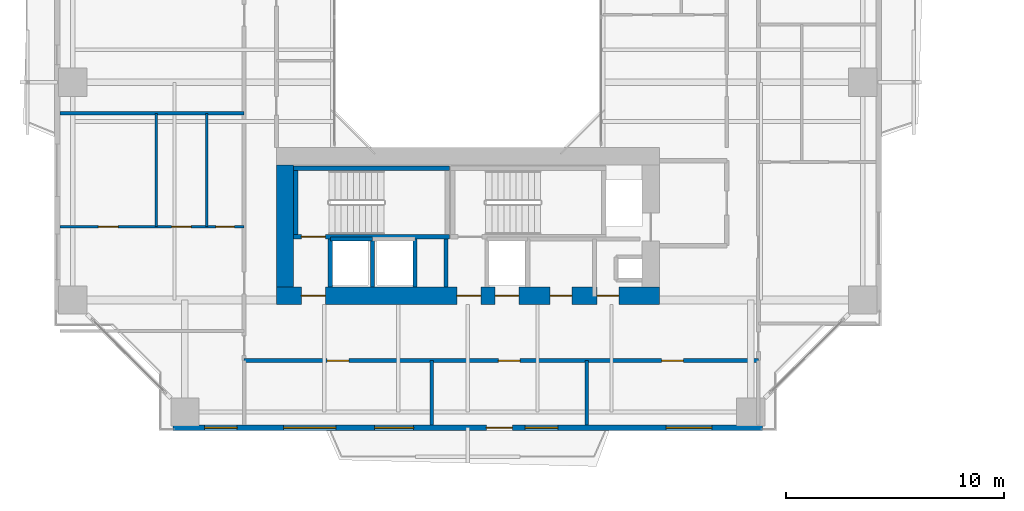
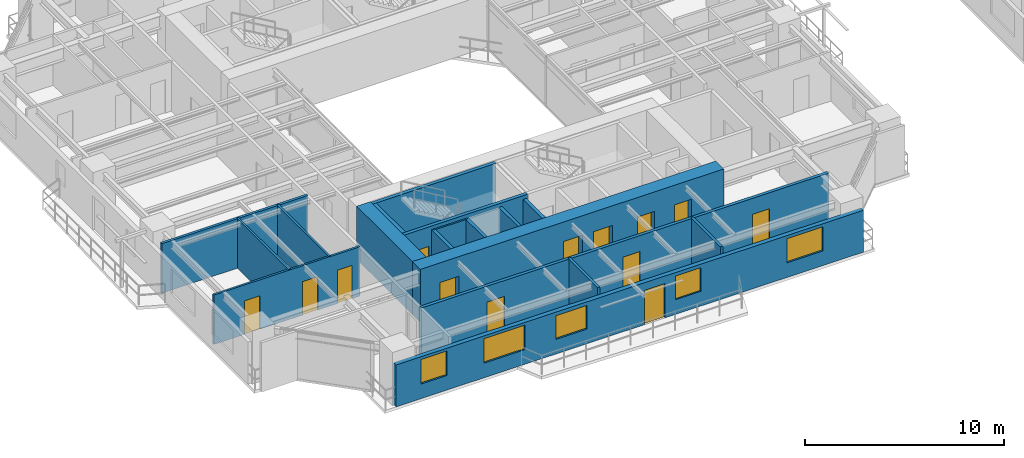
# One storey, part 12 of 23: 18 walls, 13 doors, 5 windows, 18 openings.
"""IFC4 building model written with IfcOpenShell, lengths in metres."""

from ifc_helpers import new_model, si_unit, direction, frame, frame_2d, origin, place, context, subcontext, project, spatial, rectangle, extrude, source, transform, mapped, material, layer, layer_set, type_object, element, fill, save


model = new_model("IFC4")

# Units and contexts
model_context = context("Model", 3, precision=1e-05, world=origin(), true_north=direction((0.0, 1.0)))
body_context = subcontext(model_context, "Body", "Model", "MODEL_VIEW")
ifc_project = project(units=[si_unit("LENGTHUNIT", "METRE"), si_unit("AREAUNIT", "SQUARE_METRE"), si_unit("VOLUMEUNIT", "CUBIC_METRE"), si_unit("PLANEANGLEUNIT", "RADIAN"), si_unit("MASSUNIT", "GRAM", prefix="KILO"), si_unit("THERMODYNAMICTEMPERATUREUNIT", "KELVIN"), si_unit("POWERUNIT", "WATT")], contexts=[model_context])

# Site, building, storey
site_placement = place(None, origin())
site = spatial("IfcSite", under=ifc_project, at=site_placement, CompositionType="ELEMENT")
building_placement = place(site_placement, origin())
building = spatial("IfcBuilding", under=site, at=building_placement, Name="Qiaomeng Ring Towers", CompositionType="ELEMENT")
storey_placement = place(building_placement, frame((0.0, 0.0, 89.25)))
storey = spatial("IfcBuildingStorey", under=building, at=storey_placement, Name="L25", CompositionType="ELEMENT", Elevation=89.25)

# Wall, openings, windows, door
ifc_material_1 = material(Name="Precast concrete C40", Category="concrete")
ifc_layer_1 = layer(ifc_material_1, 0.25, Name="Precast concrete C40")
ifc_layer_set_1 = layer_set([ifc_layer_1], Name="Precast concrete C40")
wall_type_1 = type_object("IfcWallType", Name="ARC-WL-EW1", PredefinedType="STANDARD", material=ifc_layer_set_1)
wall_1_placement = place(storey_placement, frame((5.449951171875, 4.125, 0.0), z_axis=(0.0, 0.0, 1.0), x_axis=(1.0, 0.0, 0.0)))
wall_1 = element("IfcWall", 1, at=wall_1_placement, inside=storey, type_object=wall_type_1, Name="L25 Tower 1 S Exterior Wall", PredefinedType="STANDARD", context=body_context, shape_type="SweptSolid", body=[
    extrude(rectangle(XDim=27.10009765625, YDim=0.25, at=frame_2d((13.550048828125, 0.0))), origin(), (0.0, 0.0, 1.0), 2.570068359375),
])
opening_1_placement = place(wall_1_placement, frame((14.39990234375, 0.0, 0.0)))
opening_1 = element("IfcOpeningElement", 2, at=opening_1_placement, cuts=wall_1, Name="Opening BD1", PredefinedType="OPENING", context=body_context, shape_type="SweptSolid", body=[
    extrude(rectangle(XDim=1.199951171875, YDim=2.10009765625, at=frame_2d((0.60009765625, 1.050048828125))), frame((0.0, 0.135009765625, 0.0), z_axis=(0.0, -1.0, 0.0), x_axis=(1.0, 0.0, 0.0)), (0.0, 0.0, 1.0), 0.27001953125),
])
opening_2_placement = place(wall_1_placement, frame((1.449951171875, 0.0, 0.89990234375)))
opening_2 = element("IfcOpeningElement", 3, at=opening_2_placement, cuts=wall_1, Name="Opening WN2", PredefinedType="OPENING", context=body_context, shape_type="SweptSolid", body=[
    extrude(rectangle(XDim=1.5, YDim=1.5, at=frame_2d((0.75, 0.75))), frame((0.0, 0.135009765625, 0.0), z_axis=(0.0, -1.0, 0.0), x_axis=(1.0, 0.0, 0.0)), (0.0, 0.0, 1.0), 0.27001953125),
])
opening_3_placement = place(wall_1_placement, frame((9.262939453125, 0.0, 0.89990234375)))
opening_3 = element("IfcOpeningElement", 4, at=opening_3_placement, cuts=wall_1, Name="Opening WN1", PredefinedType="OPENING", context=body_context, shape_type="SweptSolid", body=[
    extrude(rectangle(XDim=1.800048828125, YDim=1.449951171875, at=frame_2d((0.89990234375, 0.72509765625))), frame((0.0, 0.135009765625, 0.0), z_axis=(0.0, -1.0, 0.0), x_axis=(1.0, 0.0, 0.0)), (0.0, 0.0, 1.0), 0.27001953125),
])
opening_4_placement = place(wall_1_placement, frame((16.18798828125, 0.0, 0.89990234375)))
opening_4 = element("IfcOpeningElement", 5, at=opening_4_placement, cuts=wall_1, Name="Opening WN2", PredefinedType="OPENING", context=body_context, shape_type="SweptSolid", body=[
    extrude(rectangle(XDim=1.5, YDim=1.449951171875, at=frame_2d((0.75, 0.72509765625))), frame((0.0, 0.135009765625, 0.0), z_axis=(0.0, -1.0, 0.0), x_axis=(1.0, 0.0, 0.0)), (0.0, 0.0, 1.0), 0.27001953125),
])
opening_5_placement = place(wall_1_placement, frame((22.6630859375, 0.0, 0.89990234375)))
opening_5 = element("IfcOpeningElement", 6, at=opening_5_placement, cuts=wall_1, Name="Opening WN4", PredefinedType="OPENING", context=body_context, shape_type="SweptSolid", body=[
    extrude(rectangle(XDim=2.10009765625, YDim=1.47998046875, at=frame_2d((1.050048828125, 0.739990234375))), frame((0.0, 0.135009765625, 0.0), z_axis=(0.0, -1.0, 0.0), x_axis=(1.0, 0.0, 0.0)), (0.0, 0.0, 1.0), 0.27001953125),
])
opening_6_placement = place(wall_1_placement, frame((5.083984375, 0.0, 0.89990234375)))
opening_6 = element("IfcOpeningElement", 7, at=opening_6_placement, cuts=wall_1, Name="Opening WN6", PredefinedType="OPENING", context=body_context, shape_type="SweptSolid", body=[
    extrude(rectangle(XDim=2.39990234375, YDim=1.5, at=frame_2d((1.199951171875, 0.75))), frame((0.0, 0.135009765625, 0.0), z_axis=(0.0, -1.0, 0.0), x_axis=(1.0, 0.0, 0.0)), (0.0, 0.0, 1.0), 0.27001953125),
])
ifc_material_2 = material(Name="Low-E dark-grey laminated double glazing", Category="glass")
window_type_1 = type_object("IfcWindowType", Name="ARC-WN-2", PartitioningType="DOUBLE_PANEL_VERTICAL", PredefinedType="WINDOW", material=ifc_material_2)
shared_shape_1 = source(origin(), body_context, "Body", "SweptSolid", [
    extrude(rectangle(XDim=1.5, YDim=1.449951171875, at=frame_2d((0.75, 0.72509765625))), frame((0.0, 0.030029296875, 0.0), z_axis=(0.0, -1.0, 0.0), x_axis=(1.0, 0.0, 0.0)), (0.0, 0.0, 1.0), 0.06005859375),
])
window_1_placement = place(opening_4_placement, origin())
window_1 = element("IfcWindow", 8, at=window_1_placement, inside=storey, type_object=window_type_1, Name="L25 Exterior Window WN2", OverallHeight=1.449951171875, OverallWidth=1.5, PartitioningType="DOUBLE_PANEL_VERTICAL", PredefinedType="WINDOW", context=body_context, shape_type="MappedRepresentation", body=[
    mapped(shared_shape_1, transform((0.0, 0.0, 0.0), x_axis=(1.0, 0.0, 0.0), y_axis=(0.0, 1.0, 0.0), z_axis=(0.0, 0.0, 1.0), scale=1.0)),
])
fill(opening_4, window_1)
window_type_2 = type_object("IfcWindowType", Name="ARC-WN-4", PartitioningType="TRIPLE_PANEL_VERTICAL", PredefinedType="WINDOW", material=ifc_material_2)
shared_shape_2 = source(origin(), body_context, "Body", "SweptSolid", [
    extrude(rectangle(XDim=2.10009765625, YDim=1.47998046875, at=frame_2d((1.050048828125, 0.739990234375))), frame((0.0, 0.030029296875, 0.0), z_axis=(0.0, -1.0, 0.0), x_axis=(1.0, 0.0, 0.0)), (0.0, 0.0, 1.0), 0.06005859375),
])
window_2_placement = place(opening_5_placement, origin())
window_2 = element("IfcWindow", 9, at=window_2_placement, inside=storey, type_object=window_type_2, Name="L25 Exterior Window WN4", OverallHeight=1.47998046875, OverallWidth=2.10009765625, PartitioningType="TRIPLE_PANEL_VERTICAL", PredefinedType="WINDOW", context=body_context, shape_type="MappedRepresentation", body=[
    mapped(shared_shape_2, transform((0.0, 0.0, 0.0), x_axis=(1.0, 0.0, 0.0), y_axis=(0.0, 1.0, 0.0), z_axis=(0.0, 0.0, 1.0), scale=1.0)),
])
fill(opening_5, window_2)
window_type_3 = type_object("IfcWindowType", Name="ARC-WN-1", PartitioningType="DOUBLE_PANEL_VERTICAL", PredefinedType="WINDOW", material=ifc_material_2)
shared_shape_3 = source(origin(), body_context, "Body", "SweptSolid", [
    extrude(rectangle(XDim=1.800048828125, YDim=1.449951171875, at=frame_2d((0.89990234375, 0.72509765625))), frame((0.0, 0.030029296875, 0.0), z_axis=(0.0, -1.0, 0.0), x_axis=(1.0, 0.0, 0.0)), (0.0, 0.0, 1.0), 0.06005859375),
])
window_3_placement = place(opening_3_placement, origin())
window_3 = element("IfcWindow", 10, at=window_3_placement, inside=storey, type_object=window_type_3, Name="L25 Exterior Window WN1", OverallHeight=1.449951171875, OverallWidth=1.800048828125, PartitioningType="DOUBLE_PANEL_VERTICAL", PredefinedType="WINDOW", context=body_context, shape_type="MappedRepresentation", body=[
    mapped(shared_shape_3, transform((0.0, 0.0, 0.0), x_axis=(1.0, 0.0, 0.0), y_axis=(0.0, 1.0, 0.0), z_axis=(0.0, 0.0, 1.0), scale=1.0)),
])
fill(opening_3, window_3)
door_type_1 = type_object("IfcDoorType", Name="ARC-DR-BD1", OperationType="NOTDEFINED", PredefinedType="DOOR", material=ifc_material_2)
shared_shape_4 = source(origin(), body_context, "Body", "SweptSolid", [
    extrude(rectangle(XDim=1.199951171875, YDim=2.10009765625, at=frame_2d((0.60009765625, 1.050048828125))), frame((0.0, 0.02490234375, 0.0), z_axis=(0.0, -1.0, 0.0), x_axis=(1.0, 0.0, 0.0)), (0.0, 0.0, 1.0), 0.050048828125),
])
door_1_placement = place(opening_1_placement, frame((1.199951171875, 0.0, 0.0), z_axis=(0.0, 0.0, 1.0), x_axis=(-1.0, 0.0, 0.0)))
door_1 = element("IfcDoor", 11, at=door_1_placement, inside=storey, type_object=door_type_1, Name="L25 S Balcony Glazed Door", OperationType="SINGLE_SWING_LEFT", OverallHeight=2.10009765625, OverallWidth=1.199951171875, PredefinedType="DOOR", context=body_context, shape_type="MappedRepresentation", body=[
    mapped(shared_shape_4, transform((0.0, 0.0, 0.0), x_axis=(1.0, 0.0, 0.0), y_axis=(0.0, 1.0, 0.0), z_axis=(0.0, 0.0, 1.0), scale=1.0)),
])
fill(opening_1, door_1)
shared_shape_5 = source(origin(), body_context, "Body", "SweptSolid", [
    extrude(rectangle(XDim=1.5, YDim=1.5, at=frame_2d((0.75, 0.75))), frame((0.0, 0.030029296875, 0.0), z_axis=(0.0, -1.0, 0.0), x_axis=(1.0, 0.0, 0.0)), (0.0, 0.0, 1.0), 0.06005859375),
])
window_4_placement = place(opening_2_placement, origin())
window_4 = element("IfcWindow", 12, at=window_4_placement, inside=storey, type_object=window_type_1, Name="L25 Exterior Window WN6", OverallHeight=1.5, OverallWidth=1.5, PartitioningType="TRIPLE_PANEL_VERTICAL", PredefinedType="WINDOW", context=body_context, shape_type="MappedRepresentation", body=[
    mapped(shared_shape_5, transform((0.0, 0.0, 0.0), x_axis=(1.0, 0.0, 0.0), y_axis=(0.0, 1.0, 0.0), z_axis=(0.0, 0.0, 1.0), scale=1.0)),
])
fill(opening_2, window_4)
window_type_4 = type_object("IfcWindowType", Name="ARC-WN-6", PartitioningType="TRIPLE_PANEL_VERTICAL", PredefinedType="WINDOW", material=ifc_material_2)
shared_shape_6 = source(origin(), body_context, "Body", "SweptSolid", [
    extrude(rectangle(XDim=2.39990234375, YDim=1.5, at=frame_2d((1.199951171875, 0.75))), frame((0.0, 0.030029296875, 0.0), z_axis=(0.0, -1.0, 0.0), x_axis=(1.0, 0.0, 0.0)), (0.0, 0.0, 1.0), 0.06005859375),
])
window_5_placement = place(opening_6_placement, origin())
window_5 = element("IfcWindow", 13, at=window_5_placement, inside=storey, type_object=window_type_4, Name="L25 Exterior Window WN6", OverallHeight=1.5, OverallWidth=2.39990234375, PartitioningType="TRIPLE_PANEL_VERTICAL", PredefinedType="WINDOW", context=body_context, shape_type="MappedRepresentation", body=[
    mapped(shared_shape_6, transform((0.0, 0.0, 0.0), x_axis=(1.0, 0.0, 0.0), y_axis=(0.0, 1.0, 0.0), z_axis=(0.0, 0.0, 1.0), scale=1.0)),
])
fill(opening_6, window_5)

# Walls
ifc_material_3 = material(Name="Autoclaved aerated concrete block", Category="concrete")
ifc_layer_2 = layer(ifc_material_3, 0.199951171875, Name="Autoclaved aerated concrete block")
ifc_layer_set_2 = layer_set([ifc_layer_2], Name="Autoclaved aerated concrete block")
wall_type_2 = type_object("IfcWallType", Name="ARC-WL-PW1", PredefinedType="PARTITIONING", material=ifc_layer_set_2)
for number, where, z_axis, x_axis, name in (
    (14, (12.679931640625, 10.60009765625, 0.0), (0.0, 0.0, 1.0), (0.0, 1.0, 0.0), "L25 Interior Wall PW1"),
    (15, (18.0, 10.60009765625, 0.0), (0.0, 0.0, 1.0), (0.0, 1.0, 0.0), "L25 Interior Wall PW1"),
):
    element("IfcWall", number, at=place(storey_placement, frame(where, z_axis=z_axis, x_axis=x_axis)), inside=storey, type_object=wall_type_2, Name=name, PredefinedType="PARTITIONING", context=body_context, shape_type="SweptSolid", body=[
        extrude(rectangle(XDim=2.2099609375, YDim=0.199951171875, at=frame_2d((1.10498046875, 0.0))), origin(), (0.0, 0.0, 1.0), 3.030029296875),
    ])

# Wall, openings, doors
ifc_layer_3 = layer(ifc_material_3, 0.179931640625, Name="Autoclaved aerated concrete block")
ifc_layer_set_3 = layer_set([ifc_layer_3], Name="Autoclaved aerated concrete block")
wall_type_3 = type_object("IfcWallType", Name="ARC-WL-PW2", PredefinedType="PARTITIONING", material=ifc_layer_set_3)
wall_2_placement = place(storey_placement, frame((8.719970703125, 7.2099609375, 0.0), z_axis=(0.0, 0.0, 1.0), x_axis=(1.0, 0.0, 0.0)))
wall_2 = element("IfcWall", 16, at=wall_2_placement, inside=storey, type_object=wall_type_3, Name="L25 Interior Wall PW2", PredefinedType="PARTITIONING", context=body_context, shape_type="SweptSolid", body=[
    extrude(rectangle(XDim=23.630126953125, YDim=0.179931640625, at=frame_2d((11.81494140625, 0.0))), origin(), (0.0, 0.0, 1.0), 3.030029296875),
])
opening_7_placement = place(wall_2_placement, frame((3.81005859375, 0.0, 0.0)))
opening_7 = element("IfcOpeningElement", 17, at=opening_7_placement, cuts=wall_2, Name="Opening FD4", PredefinedType="OPENING", context=body_context, shape_type="SweptSolid", body=[
    extrude(rectangle(XDim=1.0, YDim=2.050048828125, at=frame_2d((0.5, 1.02490234375))), frame((0.0, 0.099853515625, 0.0), z_axis=(0.0, -1.0, 0.0), x_axis=(1.0, 0.0, 0.0)), (0.0, 0.0, 1.0), 0.199951171875),
])
opening_8_placement = place(wall_2_placement, frame((11.68505859375, 0.0, 0.0)))
opening_8 = element("IfcOpeningElement", 18, at=opening_8_placement, cuts=wall_2, Name="Opening FD4", PredefinedType="OPENING", context=body_context, shape_type="SweptSolid", body=[
    extrude(rectangle(XDim=1.0, YDim=2.050048828125, at=frame_2d((0.5, 1.02490234375))), frame((0.0, 0.099853515625, 0.0), z_axis=(0.0, -1.0, 0.0), x_axis=(1.0, 0.0, 0.0)), (0.0, 0.0, 1.0), 0.199951171875),
])
opening_9_placement = place(wall_2_placement, frame((19.18994140625, 0.0, 0.0)))
opening_9 = element("IfcOpeningElement", 19, at=opening_9_placement, cuts=wall_2, Name="Opening FD4", PredefinedType="OPENING", context=body_context, shape_type="SweptSolid", body=[
    extrude(rectangle(XDim=1.0, YDim=2.050048828125, at=frame_2d((0.5, 1.02490234375))), frame((0.0, 0.099853515625, 0.0), z_axis=(0.0, -1.0, 0.0), x_axis=(1.0, 0.0, 0.0)), (0.0, 0.0, 1.0), 0.199951171875),
])
ifc_material_4 = material(Name="Engineered fire-rated oak timber", Category="wood")
door_type_2 = type_object("IfcDoorType", Name="ARC-DR-FD4", OperationType="NOTDEFINED", PredefinedType="DOOR", material=ifc_material_4)
shared_shape_7 = source(origin(), body_context, "Body", "SweptSolid", [
    extrude(rectangle(XDim=1.0, YDim=2.050048828125, at=frame_2d((0.5, 1.02490234375))), frame((0.0, 0.02490234375, 0.0), z_axis=(0.0, -1.0, 0.0), x_axis=(1.0, 0.0, 0.0)), (0.0, 0.0, 1.0), 0.050048828125),
])
door_2_placement = place(opening_7_placement, origin())
door_2 = element("IfcDoor", 20, at=door_2_placement, inside=storey, type_object=door_type_2, Name="L25 Door FD4", OperationType="SINGLE_SWING_RIGHT", OverallHeight=2.050048828125, OverallWidth=1.0, PredefinedType="DOOR", context=body_context, shape_type="MappedRepresentation", body=[
    mapped(shared_shape_7, transform((0.0, 0.0, 0.0), x_axis=(1.0, 0.0, 0.0), y_axis=(0.0, 1.0, 0.0), z_axis=(0.0, 0.0, 1.0), scale=1.0)),
])
fill(opening_7, door_2)
door_3_placement = place(opening_8_placement, origin())
door_3 = element("IfcDoor", 21, at=door_3_placement, inside=storey, type_object=door_type_2, Name="L25 Door FD4", OperationType="SINGLE_SWING_LEFT", OverallHeight=2.050048828125, OverallWidth=1.0, PredefinedType="DOOR", context=body_context, shape_type="MappedRepresentation", body=[
    mapped(shared_shape_7, transform((0.0, 0.0, 0.0), x_axis=(1.0, 0.0, 0.0), y_axis=(0.0, 1.0, 0.0), z_axis=(0.0, 0.0, 1.0), scale=1.0)),
])
fill(opening_8, door_3)
door_4_placement = place(opening_9_placement, origin())
door_4 = element("IfcDoor", 22, at=door_4_placement, inside=storey, type_object=door_type_2, Name="L25 Door FD4", OperationType="SINGLE_SWING_RIGHT", OverallHeight=2.050048828125, OverallWidth=1.0, PredefinedType="DOOR", context=body_context, shape_type="MappedRepresentation", body=[
    mapped(shared_shape_7, transform((0.0, 0.0, 0.0), x_axis=(1.0, 0.0, 0.0), y_axis=(0.0, 1.0, 0.0), z_axis=(0.0, 0.0, 1.0), scale=1.0)),
])
fill(opening_9, door_4)

# Walls
ifc_material_5 = material(Name="Gypsum fireboard steel-stud partition", Category="steel")
ifc_layer_4 = layer(ifc_material_5, 0.14990234375, Name="Gypsum fireboard steel-stud partition")
ifc_layer_set_4 = layer_set([ifc_layer_4], Name="Gypsum fireboard steel-stud partition")
wall_type_4 = type_object("IfcWallType", Name="ARC-WL-PW3", PredefinedType="PARTITIONING", material=ifc_layer_set_4)
for number, where, z_axis, x_axis, name in (
    (23, (17.340087890625, 4.25, 0.0), (0.0, 0.0, 1.0), (0.0, 1.0, 0.0), "L25 Interior Wall PW3"),
    (24, (24.469970703125, 4.25, 0.0), (0.0, 0.0, 1.0), (0.0, 1.0, 0.0), "L25 Interior Wall PW3"),
):
    element("IfcWall", number, at=place(storey_placement, frame(where, z_axis=z_axis, x_axis=x_axis)), inside=storey, type_object=wall_type_4, Name=name, PredefinedType="PARTITIONING", context=body_context, shape_type="SweptSolid", body=[
        extrude(rectangle(XDim=2.9599609375, YDim=0.14990234375, at=frame_2d((1.47998046875, 0.0))), origin(), (0.0, 0.0, 1.0), 3.030029296875),
    ])
wall_3_placement = place(storey_placement, frame((0.25, 18.580078125, 0.0), z_axis=(0.0, 0.0, 1.0), x_axis=(1.0, 0.0, 0.0)))
element("IfcWall", 25, at=wall_3_placement, inside=storey, type_object=wall_type_4, Name="L25 Interior Wall PW3", PredefinedType="PARTITIONING", context=body_context, shape_type="SweptSolid", body=[
    extrude(rectangle(XDim=8.469970703125, YDim=0.14990234375, at=frame_2d((4.23486328125, 0.0))), origin(), (0.0, 0.0, 1.0), 3.030029296875),
])

# Wall, openings, doors
ifc_material_6 = material(Name="Moisture-resistant gypsum steel-stud partition", Category="steel")
ifc_layer_5 = layer(ifc_material_6, 0.1201171875, Name="Moisture-resistant gypsum steel-stud partition")
ifc_layer_set_5 = layer_set([ifc_layer_5], Name="Moisture-resistant gypsum steel-stud partition")
wall_type_5 = type_object("IfcWallType", Name="ARC-WL-PW4", PredefinedType="PLUMBINGWALL", material=ifc_layer_set_5)
wall_4_placement = place(storey_placement, frame((0.25, 13.3701171875, 0.0), z_axis=(0.0, 0.0, 1.0), x_axis=(1.0, 0.0, 0.0)))
wall_4 = element("IfcWall", 26, at=wall_4_placement, inside=storey, type_object=wall_type_5, Name="L25 Interior Wall PW4", PredefinedType="PLUMBINGWALL", context=body_context, shape_type="SweptSolid", body=[
    extrude(rectangle(XDim=8.469970703125, YDim=0.1201171875, at=frame_2d((4.23486328125, 0.0))), origin(), (0.0, 0.0, 1.0), 3.030029296875),
])
opening_10_placement = place(wall_4_placement, frame((1.77490234375, 0.0, 0.0)))
opening_10 = element("IfcOpeningElement", 27, at=opening_10_placement, cuts=wall_4, Name="Opening ID1", PredefinedType="OPENING", context=body_context, shape_type="SweptSolid", body=[
    extrude(rectangle(XDim=0.89990234375, YDim=2.050048828125, at=frame_2d((0.449951171875, 1.02490234375))), frame((0.0, 0.070068359375, 0.0), z_axis=(0.0, -1.0, 0.0), x_axis=(1.0, 0.0, 0.0)), (0.0, 0.0, 1.0), 0.14013671875),
])
opening_11_placement = place(wall_4_placement, frame((5.139892578125, 0.0, 0.0)))
opening_11 = element("IfcOpeningElement", 28, at=opening_11_placement, cuts=wall_4, Name="Opening ID1", PredefinedType="OPENING", context=body_context, shape_type="SweptSolid", body=[
    extrude(rectangle(XDim=0.89990234375, YDim=2.050048828125, at=frame_2d((0.449951171875, 1.02490234375))), frame((0.0, 0.070068359375, 0.0), z_axis=(0.0, -1.0, 0.0), x_axis=(1.0, 0.0, 0.0)), (0.0, 0.0, 1.0), 0.14013671875),
])
opening_12_placement = place(wall_4_placement, frame((7.175048828125, 0.0, 0.0)))
opening_12 = element("IfcOpeningElement", 29, at=opening_12_placement, cuts=wall_4, Name="Opening ID2", PredefinedType="OPENING", context=body_context, shape_type="SweptSolid", body=[
    extrude(rectangle(XDim=0.85009765625, YDim=2.050048828125, at=frame_2d((0.425048828125, 1.02490234375))), frame((0.0, 0.070068359375, 0.0), z_axis=(0.0, -1.0, 0.0), x_axis=(1.0, 0.0, 0.0)), (0.0, 0.0, 1.0), 0.14013671875),
])
ifc_material_7 = material(Name="Moisture-resistant engineered timber", Category="wood")
door_type_3 = type_object("IfcDoorType", Name="ARC-DR-ID2", OperationType="NOTDEFINED", PredefinedType="DOOR", material=ifc_material_7)
shared_shape_8 = source(origin(), body_context, "Body", "SweptSolid", [
    extrude(rectangle(XDim=0.85009765625, YDim=2.050048828125, at=frame_2d((0.425048828125, 1.02490234375))), frame((0.0, 0.02490234375, 0.0), z_axis=(0.0, -1.0, 0.0), x_axis=(1.0, 0.0, 0.0)), (0.0, 0.0, 1.0), 0.050048828125),
])
door_5_placement = place(opening_12_placement, origin())
door_5 = element("IfcDoor", 30, at=door_5_placement, inside=storey, type_object=door_type_3, Name="L25 Door ID2", OperationType="SINGLE_SWING_LEFT", OverallHeight=2.050048828125, OverallWidth=0.85009765625, PredefinedType="DOOR", context=body_context, shape_type="MappedRepresentation", body=[
    mapped(shared_shape_8, transform((0.0, 0.0, 0.0), x_axis=(1.0, 0.0, 0.0), y_axis=(0.0, 1.0, 0.0), z_axis=(0.0, 0.0, 1.0), scale=1.0)),
])
fill(opening_12, door_5)
ifc_material_8 = material(Name="Engineered oak timber", Category="wood")
door_type_4 = type_object("IfcDoorType", Name="ARC-DR-ID1", OperationType="NOTDEFINED", PredefinedType="DOOR", material=ifc_material_8)
shared_shape_9 = source(origin(), body_context, "Body", "SweptSolid", [
    extrude(rectangle(XDim=0.89990234375, YDim=2.050048828125, at=frame_2d((0.449951171875, 1.02490234375))), frame((0.0, 0.02490234375, 0.0), z_axis=(0.0, -1.0, 0.0), x_axis=(1.0, 0.0, 0.0)), (0.0, 0.0, 1.0), 0.050048828125),
])
door_6_placement = place(opening_10_placement, origin())
door_6 = element("IfcDoor", 31, at=door_6_placement, inside=storey, type_object=door_type_4, Name="L25 Door ID1", OperationType="SINGLE_SWING_LEFT", OverallHeight=2.050048828125, OverallWidth=0.89990234375, PredefinedType="DOOR", context=body_context, shape_type="MappedRepresentation", body=[
    mapped(shared_shape_9, transform((0.0, 0.0, 0.0), x_axis=(1.0, 0.0, 0.0), y_axis=(0.0, 1.0, 0.0), z_axis=(0.0, 0.0, 1.0), scale=1.0)),
])
fill(opening_10, door_6)
door_7_placement = place(opening_11_placement, origin())
door_7 = element("IfcDoor", 32, at=door_7_placement, inside=storey, type_object=door_type_4, Name="L25 Door ID1", OperationType="SINGLE_SWING_RIGHT", OverallHeight=2.050048828125, OverallWidth=0.89990234375, PredefinedType="DOOR", context=body_context, shape_type="MappedRepresentation", body=[
    mapped(shared_shape_9, transform((0.0, 0.0, 0.0), x_axis=(1.0, 0.0, 0.0), y_axis=(0.0, 1.0, 0.0), z_axis=(0.0, 0.0, 1.0), scale=1.0)),
])
fill(opening_11, door_7)

# Walls
for number, where, z_axis, x_axis, name in (
    (33, (4.679931640625, 13.3701171875, 0.0), (0.0, 0.0, 1.0), (0.0, 1.0, 0.0), "L25 Interior Wall PW4"),
    (34, (7.0, 13.3701171875, 0.0), (0.0, 0.0, 1.0), (0.0, 1.0, 0.0), "L25 Interior Wall PW4"),
):
    element("IfcWall", number, at=place(storey_placement, frame(where, z_axis=z_axis, x_axis=x_axis)), inside=storey, type_object=wall_type_5, Name=name, PredefinedType="PLUMBINGWALL", context=body_context, shape_type="SweptSolid", body=[
        extrude(rectangle(XDim=5.2099609375, YDim=0.1201171875, at=frame_2d((2.60498046875, 0.0))), origin(), (0.0, 0.0, 1.0), 3.030029296875),
    ])
ifc_material_9 = material(Name="Concrete C40", Category="concrete")
ifc_layer_6 = layer(ifc_material_9, 0.199951171875, Name="Concrete C40")
ifc_layer_set_6 = layer_set([ifc_layer_6], Name="Concrete C40")
wall_type_6 = type_object("IfcWallType", Name="STR-WL-STSHAFT", PredefinedType="SHEAR", material=ifc_layer_set_6)
wall_5_placement = place(storey_placement, frame((12.679931640625, 12.800048828125, 0.0), z_axis=(0.0, 0.0, 1.0), x_axis=(1.0, 0.0, 0.0)))
element("IfcWall", 35, at=wall_5_placement, inside=storey, type_object=wall_type_6, Name="L25 Lift LP6 Shaft Back Wall", PredefinedType="SHEAR", context=body_context, shape_type="SweptSolid", body=[
    extrude(rectangle(XDim=1.940185546875, YDim=0.179931640625, at=frame_2d((0.97021484375, 0.0))), origin(), (0.0, 0.0, 1.0), 3.030029296875),
])
for number, where, z_axis, x_axis, name in (
    (36, (14.6201171875, 10.60009765625, 0.0), (0.0, 0.0, 1.0), (0.0, 1.0, 0.0), "L25 Lift LP6-LP4 Shaft Divider Wall"),
    (37, (16.580078125, 10.60009765625, 0.0), (0.0, 0.0, 1.0), (0.0, 1.0, 0.0), "L25 Lift LP4 East Shaft Wall"),
):
    element("IfcWall", number, at=place(storey_placement, frame(where, z_axis=z_axis, x_axis=x_axis)), inside=storey, type_object=wall_type_6, Name=name, PredefinedType="SHEAR", context=body_context, shape_type="SweptSolid", body=[
        extrude(rectangle(XDim=2.199951171875, YDim=0.179931640625, at=frame_2d((1.10009765625, 0.0))), origin(), (0.0, 0.0, 1.0), 3.030029296875),
    ])

# Wall, opening, door
wall_6_placement = place(storey_placement, frame((11.0, 12.909912109375, 0.0), z_axis=(0.0, 0.0, 1.0), x_axis=(1.0, 0.0, 0.0)))
wall_6 = element("IfcWall", 38, at=wall_6_placement, inside=storey, type_object=wall_type_6, Name="L25 Stair ST3 South Shaft Shear Wall", PredefinedType="SHEAR", context=body_context, shape_type="SweptSolid", body=[
    extrude(rectangle(XDim=7.14990234375, YDim=0.199951171875, at=frame_2d((3.574951171875, 0.0))), origin(), (0.0, 0.0, 1.0), 3.25),
])
opening_13_placement = place(wall_6_placement, frame((0.35009765625, 0.0, 0.0)))
opening_13 = element("IfcOpeningElement", 39, at=opening_13_placement, cuts=wall_6, Name="Opening FD3", PredefinedType="OPENING", context=body_context, shape_type="SweptSolid", body=[
    extrude(rectangle(XDim=1.10009765625, YDim=2.050048828125, at=frame_2d((0.550048828125, 1.02490234375))), frame((0.0, 0.10986328125, 0.0), z_axis=(0.0, -1.0, 0.0), x_axis=(1.0, 0.0, 0.0)), (0.0, 0.0, 1.0), 0.219970703125),
])
ifc_material_10 = material(Name="Galvanised steel", Category="steel")
door_type_5 = type_object("IfcDoorType", Name="ARC-DR-FD3", OperationType="NOTDEFINED", PredefinedType="DOOR", material=ifc_material_10)
shared_shape_10 = source(origin(), body_context, "Body", "SweptSolid", [
    extrude(rectangle(XDim=1.10009765625, YDim=2.050048828125, at=frame_2d((0.550048828125, 1.02490234375))), frame((0.0, 0.02490234375, 0.0), z_axis=(0.0, -1.0, 0.0), x_axis=(1.0, 0.0, 0.0)), (0.0, 0.0, 1.0), 0.050048828125),
])
door_8_placement = place(opening_13_placement, frame((1.10009765625, 0.0, 0.0), z_axis=(0.0, 0.0, 1.0), x_axis=(-1.0, 0.0, 0.0)))
door_8 = element("IfcDoor", 40, at=door_8_placement, inside=storey, type_object=door_type_5, Name="L25 Stair ST3 Exit Door", OperationType="SINGLE_SWING_LEFT", OverallHeight=2.050048828125, OverallWidth=1.10009765625, PredefinedType="DOOR", context=body_context, shape_type="MappedRepresentation", body=[
    mapped(shared_shape_10, transform((0.0, 0.0, 0.0), x_axis=(1.0, 0.0, 0.0), y_axis=(0.0, 1.0, 0.0), z_axis=(0.0, 0.0, 1.0), scale=1.0)),
])
fill(opening_13, door_8)

# Walls
wall_7_placement = place(storey_placement, frame((11.0, 16.050048828125, 0.0), z_axis=(0.0, 0.0, 1.0), x_axis=(1.0, 0.0, 0.0)))
element("IfcWall", 41, at=wall_7_placement, inside=storey, type_object=wall_type_6, Name="L25 Stair ST3 North Shaft Shear Wall", PredefinedType="SHEAR", context=body_context, shape_type="SweptSolid", body=[
    extrude(rectangle(XDim=7.14990234375, YDim=0.199951171875, at=frame_2d((3.574951171875, 0.0))), origin(), (0.0, 0.0, 1.0), 3.25),
])
wall_8_placement = place(storey_placement, frame((11.10009765625, 13.010009765625, 0.0), z_axis=(0.0, 0.0, 1.0), x_axis=(0.0, 1.0, 0.0)))
element("IfcWall", 42, at=wall_8_placement, inside=storey, type_object=wall_type_6, Name="L25 Stair ST3 West Shaft Shear Wall", PredefinedType="SHEAR", context=body_context, shape_type="SweptSolid", body=[
    extrude(rectangle(XDim=2.93994140625, YDim=0.199951171875, at=frame_2d((1.469970703125, 0.0))), origin(), (0.0, 0.0, 1.0), 3.25),
])

# Wall, openings, doors
ifc_material_11 = material(Name="Concrete C60", Category="concrete")
ifc_layer_7 = layer(ifc_material_11, 0.800048828125, Name="Concrete C60")
ifc_layer_set_7 = layer_set([ifc_layer_7], Name="Concrete C60")
wall_type_7 = type_object("IfcWallType", Name="STR-WL-SW1", PredefinedType="SHEAR", material=ifc_layer_set_7)
wall_9_placement = place(storey_placement, frame((10.199951171875, 10.199951171875, 0.0), z_axis=(0.0, 0.0, 1.0), x_axis=(1.0, 0.0, 0.0)))
wall_9 = element("IfcWall", 43, at=wall_9_placement, inside=storey, type_object=wall_type_7, Name="L25 T1SC south core shear wall", PredefinedType="SHEAR", context=body_context, shape_type="SweptSolid", body=[
    extrude(rectangle(XDim=17.60009765625, YDim=0.800048828125, at=frame_2d((8.800048828125, 0.0))), origin(), (0.0, 0.0, 1.0), 3.25),
])
opening_14_placement = place(wall_9_placement, frame((1.14990234375, 0.0, 0.0)))
opening_14 = element("IfcOpeningElement", 44, at=opening_14_placement, cuts=wall_9, Name="Opening FD3", PredefinedType="OPENING", context=body_context, shape_type="SweptSolid", body=[
    extrude(rectangle(XDim=1.10009765625, YDim=2.050048828125, at=frame_2d((0.550048828125, 1.02490234375))), frame((0.0, 0.409912109375, 0.0), z_axis=(0.0, -1.0, 0.0), x_axis=(1.0, 0.0, 0.0)), (0.0, 0.0, 1.0), 0.820068359375),
])
opening_15_placement = place(wall_9_placement, frame((8.300048828125, 0.0, 0.0)))
opening_15 = element("IfcOpeningElement", 45, at=opening_15_placement, cuts=wall_9, Name="Opening FD3", PredefinedType="OPENING", context=body_context, shape_type="SweptSolid", body=[
    extrude(rectangle(XDim=1.10009765625, YDim=2.050048828125, at=frame_2d((0.550048828125, 1.02490234375))), frame((0.0, 0.409912109375, 0.0), z_axis=(0.0, -1.0, 0.0), x_axis=(1.0, 0.0, 0.0)), (0.0, 0.0, 1.0), 0.820068359375),
])
opening_16_placement = place(wall_9_placement, frame((10.050048828125, 0.0, 0.0)))
opening_16 = element("IfcOpeningElement", 46, at=opening_16_placement, cuts=wall_9, Name="Opening LD1", PredefinedType="OPENING", context=body_context, shape_type="SweptSolid", body=[
    extrude(rectangle(XDim=1.10009765625, YDim=2.050048828125, at=frame_2d((0.550048828125, 1.02490234375))), frame((0.0, 0.409912109375, 0.0), z_axis=(0.0, -1.0, 0.0), x_axis=(1.0, 0.0, 0.0)), (0.0, 0.0, 1.0), 0.820068359375),
])
opening_17_placement = place(wall_9_placement, frame((14.739990234375, 0.0, 0.0)))
opening_17 = element("IfcOpeningElement", 47, at=opening_17_placement, cuts=wall_9, Name="Opening FD1", PredefinedType="OPENING", context=body_context, shape_type="SweptSolid", body=[
    extrude(rectangle(XDim=1.0, YDim=2.050048828125, at=frame_2d((0.5, 1.02490234375))), frame((0.0, 0.409912109375, 0.0), z_axis=(0.0, -1.0, 0.0), x_axis=(1.0, 0.0, 0.0)), (0.0, 0.0, 1.0), 0.820068359375),
])
opening_18_placement = place(wall_9_placement, frame((12.5849609375, 0.0, 0.0)))
opening_18 = element("IfcOpeningElement", 48, at=opening_18_placement, cuts=wall_9, Name="Opening FD1", PredefinedType="OPENING", context=body_context, shape_type="SweptSolid", body=[
    extrude(rectangle(XDim=1.0, YDim=2.050048828125, at=frame_2d((0.5, 1.02490234375))), frame((0.0, 0.409912109375, 0.0), z_axis=(0.0, -1.0, 0.0), x_axis=(1.0, 0.0, 0.0)), (0.0, 0.0, 1.0), 0.820068359375),
])
door_9_placement = place(opening_14_placement, origin())
door_9 = element("IfcDoor", 49, at=door_9_placement, inside=storey, type_object=door_type_5, Name="L25 Stair ST3 Lobby Door", OperationType="SINGLE_SWING_RIGHT", OverallHeight=2.050048828125, OverallWidth=1.10009765625, PredefinedType="DOOR", context=body_context, shape_type="MappedRepresentation", body=[
    mapped(shared_shape_10, transform((0.0, 0.0, 0.0), x_axis=(1.0, 0.0, 0.0), y_axis=(0.0, 1.0, 0.0), z_axis=(0.0, 0.0, 1.0), scale=1.0)),
])
fill(opening_14, door_9)
door_10_placement = place(opening_15_placement, origin())
door_10 = element("IfcDoor", 50, at=door_10_placement, inside=storey, type_object=door_type_5, Name="L25 Stair ST4 Lobby Door", OperationType="SINGLE_SWING_RIGHT", OverallHeight=2.050048828125, OverallWidth=1.10009765625, PredefinedType="DOOR", context=body_context, shape_type="MappedRepresentation", body=[
    mapped(shared_shape_10, transform((0.0, 0.0, 0.0), x_axis=(1.0, 0.0, 0.0), y_axis=(0.0, 1.0, 0.0), z_axis=(0.0, 0.0, 1.0), scale=1.0)),
])
fill(opening_15, door_10)
ifc_material_12 = material(Name="Stainless steel 316", Category="steel")
door_type_6 = type_object("IfcDoorType", Name="ARC-DR-LD1", OperationType="NOTDEFINED", PredefinedType="DOOR", material=ifc_material_12)
door_11_placement = place(opening_16_placement, origin())
door_11 = element("IfcDoor", 51, at=door_11_placement, inside=storey, type_object=door_type_6, Name="L25 Low-Zone Lift LP2 Landing Door", OperationType="SLIDING_TO_RIGHT", OverallHeight=2.050048828125, OverallWidth=1.10009765625, PredefinedType="DOOR", context=body_context, shape_type="MappedRepresentation", body=[
    mapped(shared_shape_10, transform((0.0, 0.0, 0.0), x_axis=(1.0, 0.0, 0.0), y_axis=(0.0, 1.0, 0.0), z_axis=(0.0, 0.0, 1.0), scale=1.0)),
])
fill(opening_16, door_11)
door_type_7 = type_object("IfcDoorType", Name="ARC-DR-FD1", OperationType="NOTDEFINED", PredefinedType="DOOR", material=ifc_material_10)
door_12_placement = place(opening_17_placement, origin())
door_12 = element("IfcDoor", 52, at=door_12_placement, inside=storey, type_object=door_type_7, Name="L25 South Electrical Riser Door", OperationType="SINGLE_SWING_LEFT", OverallHeight=2.050048828125, OverallWidth=1.0, PredefinedType="DOOR", context=body_context, shape_type="MappedRepresentation", body=[
    mapped(shared_shape_7, transform((0.0, 0.0, 0.0), x_axis=(1.0, 0.0, 0.0), y_axis=(0.0, 1.0, 0.0), z_axis=(0.0, 0.0, 1.0), scale=1.0)),
])
fill(opening_17, door_12)
door_13_placement = place(opening_18_placement, origin())
door_13 = element("IfcDoor", 53, at=door_13_placement, inside=storey, type_object=door_type_7, Name="L25 South Building Management Office Door", OperationType="SINGLE_SWING_RIGHT", OverallHeight=2.050048828125, OverallWidth=1.0, PredefinedType="DOOR", context=body_context, shape_type="MappedRepresentation", body=[
    mapped(shared_shape_7, transform((0.0, 0.0, 0.0), x_axis=(1.0, 0.0, 0.0), y_axis=(0.0, 1.0, 0.0), z_axis=(0.0, 0.0, 1.0), scale=1.0)),
])
fill(opening_18, door_13)

# Wall
wall_10_placement = place(storey_placement, frame((10.60009765625, 10.60009765625, 0.0), z_axis=(0.0, 0.0, 1.0), x_axis=(0.0, 1.0, 0.0)))
element("IfcWall", 54, at=wall_10_placement, inside=storey, type_object=wall_type_7, Name="L25 T1SC west core shear wall", PredefinedType="SHEAR", context=body_context, shape_type="SweptSolid", body=[
    extrude(rectangle(XDim=5.599853515625, YDim=0.800048828125, at=frame_2d((2.7998046875, 0.0))), origin(), (0.0, 0.0, 1.0), 3.25),
])

save(model, "model.ifc")
